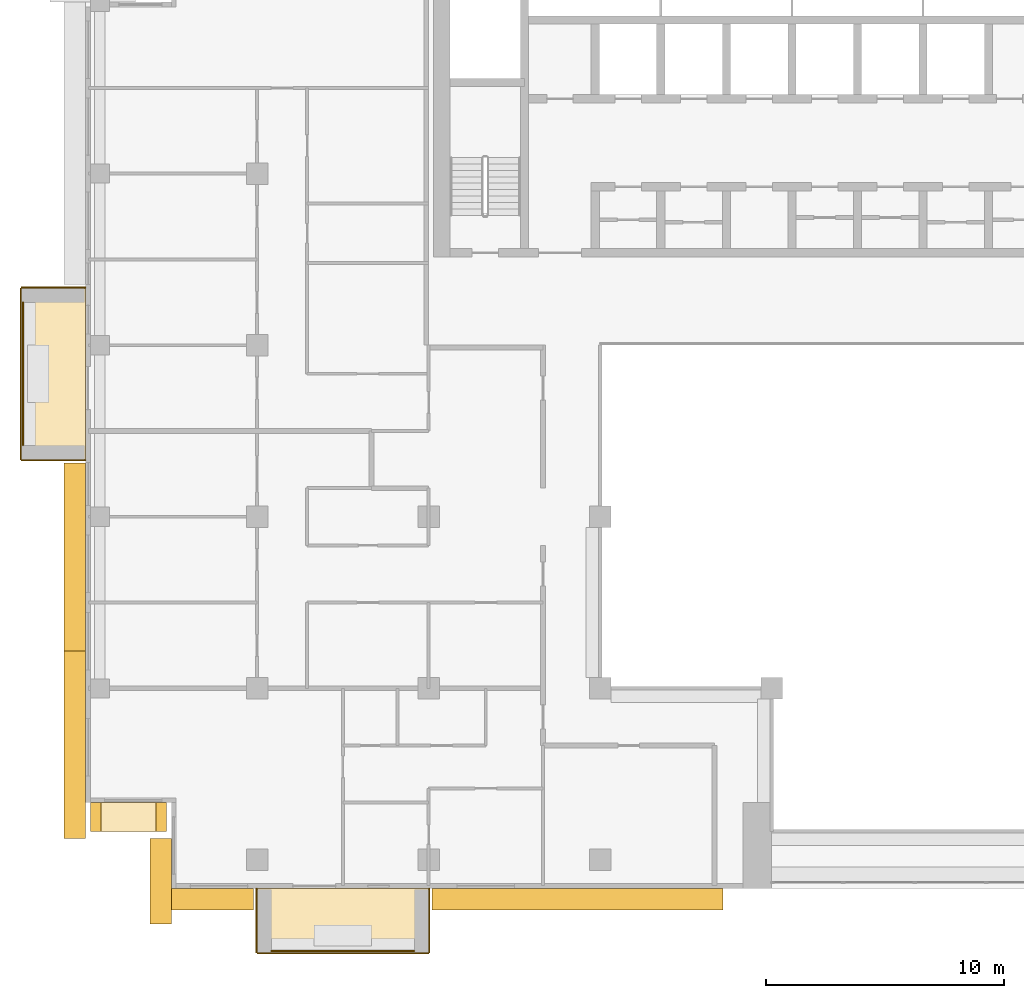
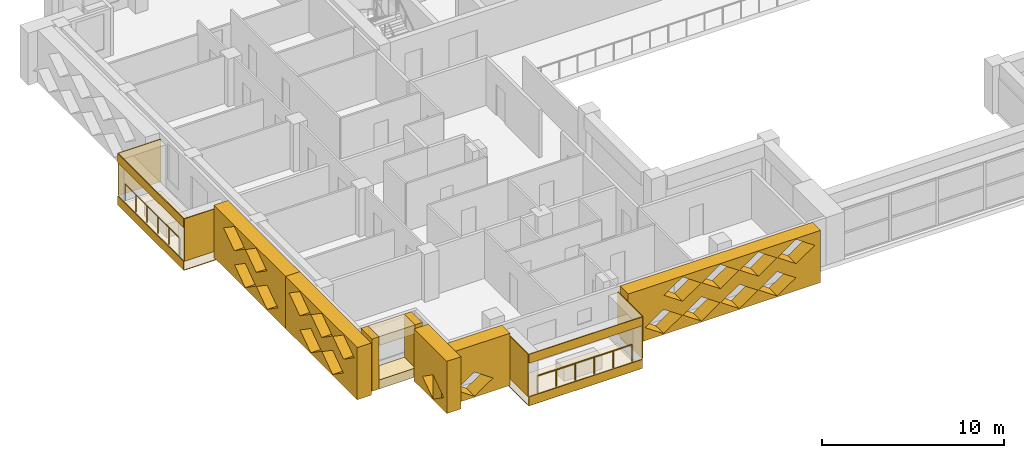
# One storey, part 14 of 20: 19 coverings, 2 railings.
"""IFC4 building model written with IfcOpenShell, lengths in metres."""

from ifc_helpers import new_model, si_unit, direction, frame, origin, origin_2d, place, context, subcontext, project, spatial, polyline, circle, outline, extrude, material, layer, layer_set, type_object, element, save


model = new_model("IFC4")

# Units and contexts
model_context = context("Model", 3, precision=1e-05, world=origin(), true_north=direction((0.0, 1.0)))
body_context = subcontext(model_context, "Body", "Model", "MODEL_VIEW")
ifc_project = project(units=[si_unit("LENGTHUNIT", "METRE"), si_unit("AREAUNIT", "SQUARE_METRE"), si_unit("VOLUMEUNIT", "CUBIC_METRE"), si_unit("PLANEANGLEUNIT", "RADIAN"), si_unit("MASSUNIT", "GRAM", prefix="KILO")], contexts=[model_context])

# Site, building, storey
site_placement = place(None, origin())
site = spatial("IfcSite", under=ifc_project, at=site_placement, CompositionType="ELEMENT")
building_placement = place(site_placement, origin())
building = spatial("IfcBuilding", under=site, at=building_placement, Name="Saffron Iwan Residences", CompositionType="ELEMENT")
storey_placement = place(building_placement, frame((0.0, 0.0, 188.5)))
storey = spatial("IfcBuildingStorey", under=building, at=storey_placement, Name="L50", CompositionType="ELEMENT", Elevation=188.5)

# Railings
ifc_material_1 = material(Name="Stainless steel 316", Category="steel")
railing_type = type_object("IfcRailingType", Name="BALCONY GUARD 1150", PredefinedType="GUARDRAIL", material=ifc_material_1)
railing_1_placement = place(storey_placement, frame((11.77490234375, 64.199951171875, 0.0)))
element("IfcRailing", 1, at=railing_1_placement, inside=storey, type_object=railing_type, Name="Balcony guard L50 F8-0", PredefinedType="GUARDRAIL", context=body_context, shape_type="SweptSolid", body=[
    extrude(circle(Radius=0.02392578125, at=origin_2d()), frame((0.0, 0.0, 1.1259765625), z_axis=(0.0, -1.0, 0.0), x_axis=(1.0, 0.0, 0.0)), (0.0, 0.0, 1.0), 6.0),
    extrude(circle(Radius=0.02099609375, at=origin_2d()), origin(), (0.0, 0.0, 1.0), 1.101806640625),
    extrude(circle(Radius=0.02099609375, at=origin_2d()), frame((0.0, -1.199951171875, 0.0)), (0.0, 0.0, 1.0), 1.101806640625),
    extrude(circle(Radius=0.02099609375, at=origin_2d()), frame((0.0, -2.39990234375, 0.0)), (0.0, 0.0, 1.0), 1.101806640625),
    extrude(circle(Radius=0.02099609375, at=origin_2d()), frame((0.0, -3.60009765625, 0.0)), (0.0, 0.0, 1.0), 1.101806640625),
    extrude(circle(Radius=0.02099609375, at=origin_2d()), frame((0.0, -4.800048828125, 0.0)), (0.0, 0.0, 1.0), 1.101806640625),
    extrude(circle(Radius=0.02099609375, at=origin_2d()), frame((0.0, -6.0, 0.0)), (0.0, 0.0, 1.0), 1.101806640625),
])
railing_2_placement = place(storey_placement, frame((22.199951171875, 36.97509765625, 0.0)))
element("IfcRailing", 2, at=railing_2_placement, inside=storey, type_object=railing_type, Name="Balcony guard L50 11-0", PredefinedType="GUARDRAIL", context=body_context, shape_type="SweptSolid", body=[
    extrude(circle(Radius=0.02392578125, at=origin_2d()), frame((0.0, 0.0, 1.1259765625), z_axis=(1.0, 0.0, 0.0), x_axis=(0.0, 1.0, 0.0)), (0.0, 0.0, 1.0), 6.0),
    extrude(circle(Radius=0.02099609375, at=origin_2d()), origin(), (0.0, 0.0, 1.0), 1.101806640625),
    extrude(circle(Radius=0.02099609375, at=origin_2d()), frame((1.199951171875, 0.0, 0.0)), (0.0, 0.0, 1.0), 1.101806640625),
    extrude(circle(Radius=0.02099609375, at=origin_2d()), frame((2.39990234375, 0.0, 0.0)), (0.0, 0.0, 1.0), 1.101806640625),
    extrude(circle(Radius=0.02099609375, at=origin_2d()), frame((3.60009765625, 0.0, 0.0)), (0.0, 0.0, 1.0), 1.101806640625),
    extrude(circle(Radius=0.02099609375, at=origin_2d()), frame((4.800048828125, 0.0, 0.0)), (0.0, 0.0, 1.0), 1.101806640625),
    extrude(circle(Radius=0.02099609375, at=origin_2d()), frame((6.0, 0.0, 0.0)), (0.0, 0.0, 1.0), 1.101806640625),
])

# Coverings
ifc_material_2 = material(Name="Precast concrete C40/50 white painted", Category="concrete")
ifc_layer = layer(ifc_material_2, 0.050048828125)
ifc_layer_set = layer_set([ifc_layer], Name="Precast concrete C40/50 white painted")
covering_type_1 = type_object("IfcCoveringType", Name="FRAME SKIN PRECAST WHITE 50", PredefinedType="CLADDING", material=ifc_layer_set)
for number, where, name in (
    (3, (0.0, 0.0, -0.60009765625), "Frame skin slab edge L50 F8-0"),
    (4, (0.0, 0.0, 2.25), "Frame skin fascia L50 F8-0"),
):
    element("IfcCovering", number, at=place(storey_placement, frame(where)), inside=storey, type_object=covering_type_1, Name=name, PredefinedType="CLADDING", context=body_context, shape_type="SweptSolid", body=[
        extrude(outline(polyline([(11.64990234375, 64.800048828125), (11.64990234375, 57.60009765625), (11.699951171875, 57.60009765625), (11.699951171875, 64.800048828125), (11.64990234375, 64.800048828125)])), origin(), (0.0, 0.0, 1.0), 0.60009765625),
    ])
covering_1_placement = place(storey_placement, frame((0.0, 0.0, -0.64990234375)))
element("IfcCovering", 5, at=covering_1_placement, inside=storey, type_object=covering_type_1, Name="Frame skin soffit L50 F8-0", PredefinedType="CLADDING", context=body_context, shape_type="SweptSolid", body=[
    extrude(outline(polyline([(11.699951171875, 64.800048828125), (11.699951171875, 57.60009765625), (14.39990234375, 57.60009765625), (14.39990234375, 64.800048828125), (11.699951171875, 64.800048828125)])), origin(), (0.0, 0.0, 1.0), 0.0498046875),
])
covering_2_placement = place(storey_placement, origin())
element("IfcCovering", 6, at=covering_2_placement, inside=storey, type_object=covering_type_1, Name="Frame skin fin L50 F8-0a", PredefinedType="CLADDING", context=body_context, shape_type="SweptSolid", body=[
    extrude(outline(polyline([(11.699951171875, 64.85009765625), (11.699951171875, 64.800048828125), (14.39990234375, 64.800048828125), (14.39990234375, 64.85009765625), (11.699951171875, 64.85009765625)])), origin(), (0.0, 0.0, 1.0), 2.85009765625),
])
covering_3_placement = place(storey_placement, origin())
element("IfcCovering", 7, at=covering_3_placement, inside=storey, type_object=covering_type_1, Name="Frame skin fin L50 F8-0b", PredefinedType="CLADDING", context=body_context, shape_type="SweptSolid", body=[
    extrude(outline(polyline([(11.699951171875, 57.60009765625), (11.699951171875, 57.550048828125), (14.39990234375, 57.550048828125), (14.39990234375, 57.60009765625), (11.699951171875, 57.60009765625)])), origin(), (0.0, 0.0, 1.0), 2.85009765625),
])
for number, where, name in (
    (8, (0.0, 0.0, -0.60009765625), "Frame skin slab edge L50 11-0"),
    (9, (0.0, 0.0, 2.25), "Frame skin fascia L50 11-0"),
):
    element("IfcCovering", number, at=place(storey_placement, frame(where)), inside=storey, type_object=covering_type_1, Name=name, PredefinedType="CLADDING", context=body_context, shape_type="SweptSolid", body=[
        extrude(outline(polyline([(21.60009765625, 36.85009765625), (28.800048828125, 36.85009765625), (28.800048828125, 36.89990234375), (21.60009765625, 36.89990234375), (21.60009765625, 36.85009765625)])), origin(), (0.0, 0.0, 1.0), 0.60009765625),
    ])
covering_4_placement = place(storey_placement, frame((0.0, 0.0, -0.64990234375)))
element("IfcCovering", 10, at=covering_4_placement, inside=storey, type_object=covering_type_1, Name="Frame skin soffit L50 11-0", PredefinedType="CLADDING", context=body_context, shape_type="SweptSolid", body=[
    extrude(outline(polyline([(21.60009765625, 36.89990234375), (28.800048828125, 36.89990234375), (28.800048828125, 39.60009765625), (21.60009765625, 39.60009765625), (21.60009765625, 36.89990234375)])), origin(), (0.0, 0.0, 1.0), 0.0498046875),
])
covering_5_placement = place(storey_placement, origin())
element("IfcCovering", 11, at=covering_5_placement, inside=storey, type_object=covering_type_1, Name="Frame skin fin L50 11-0a", PredefinedType="CLADDING", context=body_context, shape_type="SweptSolid", body=[
    extrude(outline(polyline([(21.550048828125, 36.89990234375), (21.60009765625, 36.89990234375), (21.60009765625, 39.60009765625), (21.550048828125, 39.60009765625), (21.550048828125, 36.89990234375)])), origin(), (0.0, 0.0, 1.0), 2.85009765625),
])
covering_6_placement = place(storey_placement, origin())
element("IfcCovering", 12, at=covering_6_placement, inside=storey, type_object=covering_type_1, Name="Frame skin fin L50 11-0b", PredefinedType="CLADDING", context=body_context, shape_type="SweptSolid", body=[
    extrude(outline(polyline([(28.800048828125, 36.89990234375), (28.85009765625, 36.89990234375), (28.85009765625, 39.60009765625), (28.800048828125, 39.60009765625), (28.800048828125, 36.89990234375)])), origin(), (0.0, 0.0, 1.0), 2.85009765625),
])
ifc_material_3 = material(Name="Precast concrete C40/50", Category="concrete")
covering_type_2 = type_object("IfcCoveringType", Name="OUTER SKIN LATTICE SCREEN", PredefinedType="CLADDING", material=ifc_material_3)
covering_7_placement = place(storey_placement, frame((14.39990234375, 57.449951171875, -0.300048828125), z_axis=(-1.0, 0.0, 0.0), x_axis=(0.0, -1.0, 0.0)))
element("IfcCovering", 13, at=covering_7_placement, inside=storey, type_object=covering_type_2, Name="OUTER SKIN lattice screen L50 F8.1", PredefinedType="CLADDING", context=body_context, shape_type="SweptSolid", body=[
    extrude(outline(polyline([(0.0, 0.0), (7.875, 0.0), (7.875, 3.5), (0.0, 3.5), (0.0, 0.0)]), holes=[polyline([(2.27001953125, 0.875), (3.449951171875, 0.06005859375), (4.6298828125, 0.875), (3.449951171875, 1.68994140625), (2.27001953125, 0.875)]), polyline([(4.669921875, 0.875), (5.85009765625, 0.06005859375), (7.030029296875, 0.875), (5.85009765625, 1.68994140625), (4.669921875, 0.875)]), polyline([(1.070068359375, 2.625), (2.25, 1.81005859375), (3.429931640625, 2.625), (2.25, 3.43994140625), (1.070068359375, 2.625)]), polyline([(3.469970703125, 2.625), (4.64990234375, 1.81005859375), (5.830078125, 2.625), (4.64990234375, 3.43994140625), (3.469970703125, 2.625)])]), origin(), (0.0, 0.0, 1.0), 0.89990234375),
])
covering_8_placement = place(storey_placement, frame((14.39990234375, 49.574951171875, -0.300048828125), z_axis=(-1.0, 0.0, 0.0), x_axis=(0.0, -1.0, 0.0)))
element("IfcCovering", 14, at=covering_8_placement, inside=storey, type_object=covering_type_2, Name="OUTER SKIN lattice screen L50 F8.2", PredefinedType="CLADDING", context=body_context, shape_type="SweptSolid", body=[
    extrude(outline(polyline([(0.0, 0.0), (7.875, 0.0), (7.875, 3.5), (0.0, 3.5), (0.0, 0.0)]), holes=[polyline([(1.594970703125, 0.875), (2.77490234375, 0.06005859375), (3.955078125, 0.875), (2.77490234375, 1.68994140625), (1.594970703125, 0.875)]), polyline([(3.9951171875, 0.875), (5.175048828125, 0.06005859375), (6.35498046875, 0.875), (5.175048828125, 1.68994140625), (3.9951171875, 0.875)]), polyline([(0.39501953125, 2.625), (1.574951171875, 1.81005859375), (2.7548828125, 2.625), (1.574951171875, 3.43994140625), (0.39501953125, 2.625)]), polyline([(2.794921875, 2.625), (3.97509765625, 1.81005859375), (5.155029296875, 2.625), (3.97509765625, 3.43994140625), (2.794921875, 2.625)]), polyline([(5.195068359375, 2.625), (6.375, 1.81005859375), (7.554931640625, 2.625), (6.375, 3.43994140625), (5.195068359375, 2.625)])]), origin(), (0.0, 0.0, 1.0), 0.89990234375),
])
covering_9_placement = place(storey_placement, frame((18.0, 41.699951171875, -0.300048828125), z_axis=(-1.0, 0.0, 0.0), x_axis=(0.0, -1.0, 0.0)))
element("IfcCovering", 15, at=covering_9_placement, inside=storey, type_object=covering_type_2, Name="OUTER SKIN lattice screen L50 F10.0", PredefinedType="CLADDING", context=body_context, shape_type="SweptSolid", body=[
    extrude(outline(polyline([(0.0, 0.0), (3.60009765625, 0.0), (3.60009765625, 3.5), (0.0, 3.5), (0.0, 0.0)]), holes=[polyline([(0.919921875, 0.875), (2.10009765625, 0.06005859375), (3.280029296875, 0.875), (2.10009765625, 1.68994140625), (0.919921875, 0.875)])]), origin(), (0.0, 0.0, 1.0), 0.89990234375),
])
covering_10_placement = place(storey_placement, frame((17.10009765625, 39.60009765625, -0.300048828125), z_axis=(0.0, -1.0, 0.0), x_axis=(1.0, 0.0, 0.0)))
element("IfcCovering", 16, at=covering_10_placement, inside=storey, type_object=covering_type_2, Name="OUTER SKIN lattice screen L50 F11.0", PredefinedType="CLADDING", context=body_context, shape_type="SweptSolid", body=[
    extrude(outline(polyline([(0.0, 0.0), (4.35009765625, 0.0), (4.35009765625, 3.5), (0.0, 3.5), (0.0, 0.0)]), holes=[polyline([(0.919921875, 0.875), (2.10009765625, 0.06005859375), (3.280029296875, 0.875), (2.10009765625, 1.68994140625), (0.919921875, 0.875)])]), origin(), (0.0, 0.0, 1.0), 0.900146484375),
])
covering_11_placement = place(storey_placement, frame((28.949951171875, 39.60009765625, -0.300048828125), z_axis=(0.0, -1.0, 0.0), x_axis=(1.0, 0.0, 0.0)))
element("IfcCovering", 17, at=covering_11_placement, inside=storey, type_object=covering_type_2, Name="OUTER SKIN lattice screen L50 F11.1", PredefinedType="CLADDING", context=body_context, shape_type="SweptSolid", body=[
    extrude(outline(polyline([(0.0, 0.0), (12.199951171875, 0.0), (12.199951171875, 3.5), (0.0, 3.5), (0.0, 0.0)]), holes=[polyline([(1.070068359375, 0.875), (2.25, 0.06005859375), (3.429931640625, 0.875), (2.25, 1.68994140625), (1.070068359375, 0.875)]), polyline([(3.469970703125, 0.875), (4.64990234375, 0.06005859375), (5.830078125, 0.875), (4.64990234375, 1.68994140625), (3.469970703125, 0.875)]), polyline([(5.8701171875, 0.875), (7.050048828125, 0.06005859375), (8.22998046875, 0.875), (7.050048828125, 1.68994140625), (5.8701171875, 0.875)]), polyline([(8.27001953125, 0.875), (9.449951171875, 0.06005859375), (10.6298828125, 0.875), (9.449951171875, 1.68994140625), (8.27001953125, 0.875)]), polyline([(2.27001953125, 2.625), (3.449951171875, 1.81005859375), (4.6298828125, 2.625), (3.449951171875, 3.43994140625), (2.27001953125, 2.625)]), polyline([(4.669921875, 2.625), (5.85009765625, 1.81005859375), (7.030029296875, 2.625), (5.85009765625, 3.43994140625), (4.669921875, 2.625)]), polyline([(7.070068359375, 2.625), (8.25, 1.81005859375), (9.429931640625, 2.625), (8.25, 3.43994140625), (7.070068359375, 2.625)]), polyline([(9.469970703125, 2.625), (10.64990234375, 1.81005859375), (11.830078125, 2.625), (10.64990234375, 3.43994140625), (9.469970703125, 2.625)])]), origin(), (0.0, 0.0, 1.0), 0.900146484375),
])
covering_type_3 = type_object("IfcCoveringType", Name="WHITE SUN FRAME PRECAST", PredefinedType="CLADDING", material=ifc_material_2)
for number, where, z_axis, x_axis, name in (
    (18, (14.60009765625, 43.199951171875, -0.300048828125), (0.0, -1.0, 0.0), (1.0, 0.0, 0.0), "Sun frame L50 F9 0.2a"),
    (19, (17.35009765625, 43.199951171875, -0.300048828125), (0.0, -1.0, 0.0), (1.0, 0.0, 0.0), "Sun frame L50 F9 0.2b"),
):
    element("IfcCovering", number, at=place(storey_placement, frame(where, z_axis=z_axis, x_axis=x_axis)), inside=storey, type_object=covering_type_3, Name=name, PredefinedType="CLADDING", context=body_context, shape_type="SweptSolid", body=[
        extrude(outline(polyline([(0.0, 0.0), (0.449951171875, 0.0), (0.449951171875, 3.5), (0.0, 3.5), (0.0, 0.0)])), origin(), (0.0, 0.0, 1.0), 1.199951171875),
    ])
for number, where, z_axis, x_axis, name in (
    (20, (15.050048828125, 43.199951171875, 2.60009765625), (0.0, -1.0, 0.0), (1.0, 0.0, 0.0), "Sun frame L50 F9 0.2h"),
    (21, (15.050048828125, 43.199951171875, -0.300048828125), (0.0, -1.0, 0.0), (1.0, 0.0, 0.0), "Sun frame L50 F9 0.2s"),
):
    element("IfcCovering", number, at=place(storey_placement, frame(where, z_axis=z_axis, x_axis=x_axis)), inside=storey, type_object=covering_type_3, Name=name, PredefinedType="CLADDING", context=body_context, shape_type="SweptSolid", body=[
        extrude(outline(polyline([(0.0, 0.0), (2.300048828125, 0.0), (2.300048828125, 0.60009765625), (0.0, 0.60009765625), (0.0, 0.0)])), origin(), (0.0, 0.0, 1.0), 1.199951171875),
    ])

save(model, "model.ifc")
